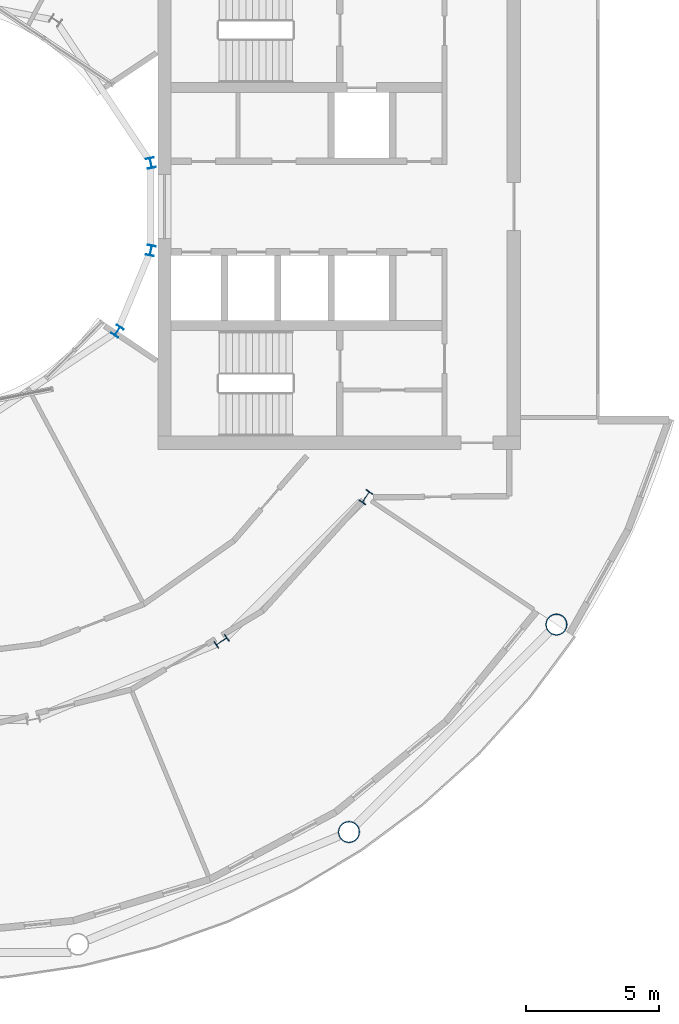
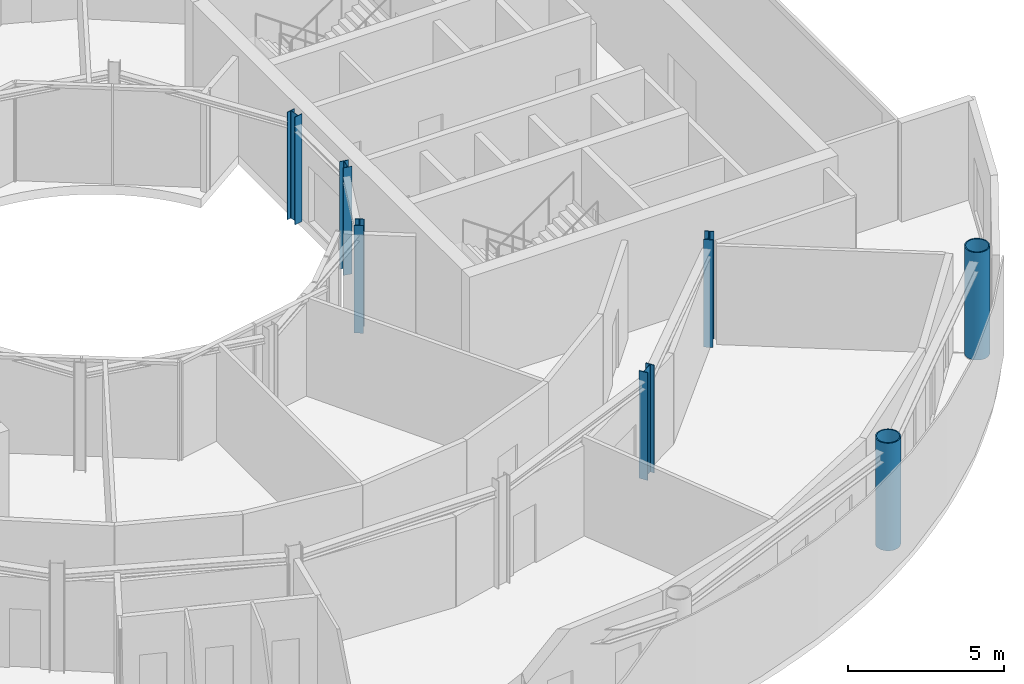
# One storey, part 2 of 21: 7 columns.
"""IFC4 building model written with IfcOpenShell, lengths in metres."""

from ifc_helpers import new_model, si_unit, direction, frame, origin, origin_2d, place, context, subcontext, project, spatial, hollow_circle, i_section, extrude, material, material_profile, profile_set, type_object, element, save


model = new_model("IFC4")

# Units and contexts
model_context = context("Model", 3, precision=1e-05, world=origin(), true_north=direction((0.0, 1.0)))
body_context = subcontext(model_context, "Body", "Model", "MODEL_VIEW")
ifc_project = project(units=[si_unit("LENGTHUNIT", "METRE"), si_unit("AREAUNIT", "SQUARE_METRE"), si_unit("VOLUMEUNIT", "CUBIC_METRE"), si_unit("PLANEANGLEUNIT", "RADIAN"), si_unit("MASSUNIT", "GRAM", prefix="KILO")], contexts=[model_context])

# Site, building, storey
site_placement = place(None, origin())
site = spatial("IfcSite", under=ifc_project, at=site_placement, CompositionType="ELEMENT")
building_placement = place(site_placement, origin())
building = spatial("IfcBuilding", under=site, at=building_placement, Name="Maasbend Ring Residences", CompositionType="ELEMENT")
storey_placement = place(building_placement, frame((0.0, 0.0, 157.39990234375)))
storey = spatial("IfcBuildingStorey", under=building, at=storey_placement, Name="L45", CompositionType="ELEMENT", Elevation=157.39990234375)

# Columns
ifc_material_1 = material(Name="Composite concrete-filled steel tube S460NH / C80/95", Category="concrete")
ifc_material_profile_1 = material_profile(ifc_material_1, hollow_circle(Radius=0.406494140625, WallThickness=0.0400390625, at=origin_2d()), Name="Composite tube column CHS 813x40")
ifc_profile_set_1 = profile_set([ifc_material_profile_1], Name="Composite concrete-filled steel tube S460NH / C80/95")
column_type_1 = type_object("IfcColumnType", Name="Composite tube column CHS 813x40", PredefinedType="COLUMN", material=ifc_profile_set_1)
for number, where, z_axis, x_axis, name in (
    (1, (15.6669921875, -23.447509765625, 0.0), (0.0, 0.0, 1.0), (1.0, 0.0, 0.0), "Outer column R14"),
    (2, (23.447509765625, -15.6669921875, 0.0), (0.0, 0.0, 1.0), (1.0, 0.0, 0.0), "Outer column R15"),
):
    element("IfcColumn", number, at=place(storey_placement, frame(where, z_axis=z_axis, x_axis=x_axis)), inside=storey, type_object=column_type_1, Name=name, PredefinedType="COLUMN", context=body_context, shape_type="SweptSolid", body=[
        extrude(hollow_circle(Radius=0.406494140625, WallThickness=0.0400390625, at=origin_2d()), origin(), (0.0, 0.0, 1.0), 4.2001953125),
    ])
ifc_material_2 = material(Name="Steel S355J2", Category="steel")
ifc_material_profile_2 = material_profile(ifc_material_2, i_section(OverallWidth=0.300048828125, OverallDepth=0.389892578125, WebThickness=0.010986328125, FlangeThickness=0.01904296875, FilletRadius=0.027099609375, at=origin_2d()), Name="HEA 400")
ifc_profile_set_2 = profile_set([ifc_material_profile_2], Name="Steel S355J2")
column_type_2 = type_object("IfcColumnType", Name="Steel column HEA 400", PredefinedType="COLUMN", material=ifc_profile_set_2)
for number, where, z_axis, x_axis, name in (
    (3, (8.238525390625, 1.638916015625, 0.0), (0.0, 0.0, 1.0), (0.980785280403, 0.195090322016, 0.0), "Well ring column R1"),
    (4, (6.984375, -4.666748046875, 0.0), (0.0, 0.0, 1.0), (0.831469612303, -0.55557023302, 0.0), "Well ring column R15"),
    (5, (8.238525390625, -1.638916015625, 0.0), (0.0, 0.0, 1.0), (0.980785280403, -0.195090322016, 0.0), "Well ring column R16"),
):
    element("IfcColumn", number, at=place(storey_placement, frame(where, z_axis=z_axis, x_axis=x_axis)), inside=storey, type_object=column_type_2, Name=name, PredefinedType="COLUMN", context=body_context, shape_type="SweptSolid", body=[
        extrude(i_section(OverallWidth=0.300048828125, OverallDepth=0.389892578125, WebThickness=0.010986328125, FlangeThickness=0.01904296875, FilletRadius=0.027099609375, at=origin_2d()), origin(), (0.0, 0.0, 1.0), 4.2001953125),
    ])
ifc_material_3 = material(Name="Steel S355J2", Category="steel")
ifc_material_profile_3 = material_profile(ifc_material_3, i_section(OverallWidth=0.300048828125, OverallDepth=0.5, WebThickness=0.014404296875, FlangeThickness=0.028076171875, FilletRadius=0.027099609375, at=origin_2d()), Name="HEB 500")
ifc_profile_set_3 = profile_set([ifc_material_profile_3], Name="Steel S355J2")
column_type_3 = type_object("IfcColumnType", Name="Steel column HEB 500", PredefinedType="COLUMN", material=ifc_profile_set_3)
for number, where, z_axis, x_axis, name in (
    (6, (10.88916015625, -16.296875, 0.0), (0.0, 0.0, 1.0), (0.55557023302, -0.831469612303, 0.0), "Corridor ring column R14"),
    (7, (16.296875, -10.88916015625, 0.0), (0.0, 0.0, 1.0), (0.831469612303, -0.55557023302, 0.0), "Corridor ring column R15"),
):
    element("IfcColumn", number, at=place(storey_placement, frame(where, z_axis=z_axis, x_axis=x_axis)), inside=storey, type_object=column_type_3, Name=name, PredefinedType="COLUMN", context=body_context, shape_type="SweptSolid", body=[
        extrude(i_section(OverallWidth=0.300048828125, OverallDepth=0.5, WebThickness=0.014404296875, FlangeThickness=0.028076171875, FilletRadius=0.027099609375, at=origin_2d()), origin(), (0.0, 0.0, 1.0), 4.2001953125),
    ])

save(model, "model.ifc")
